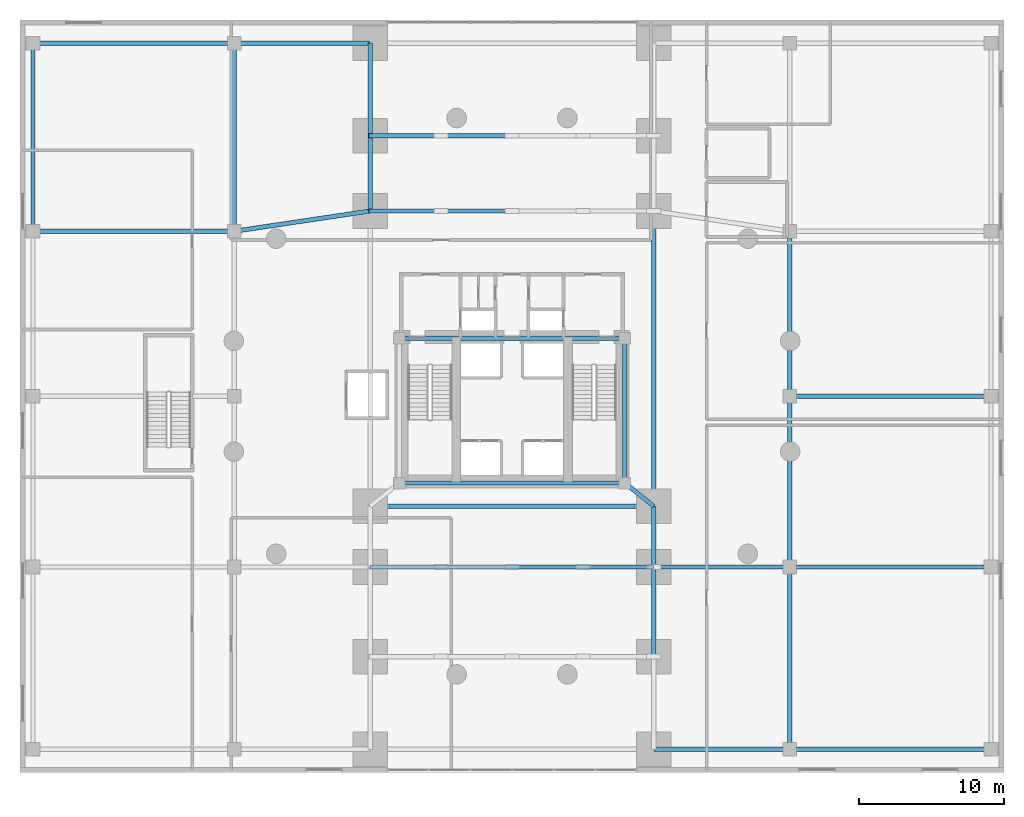
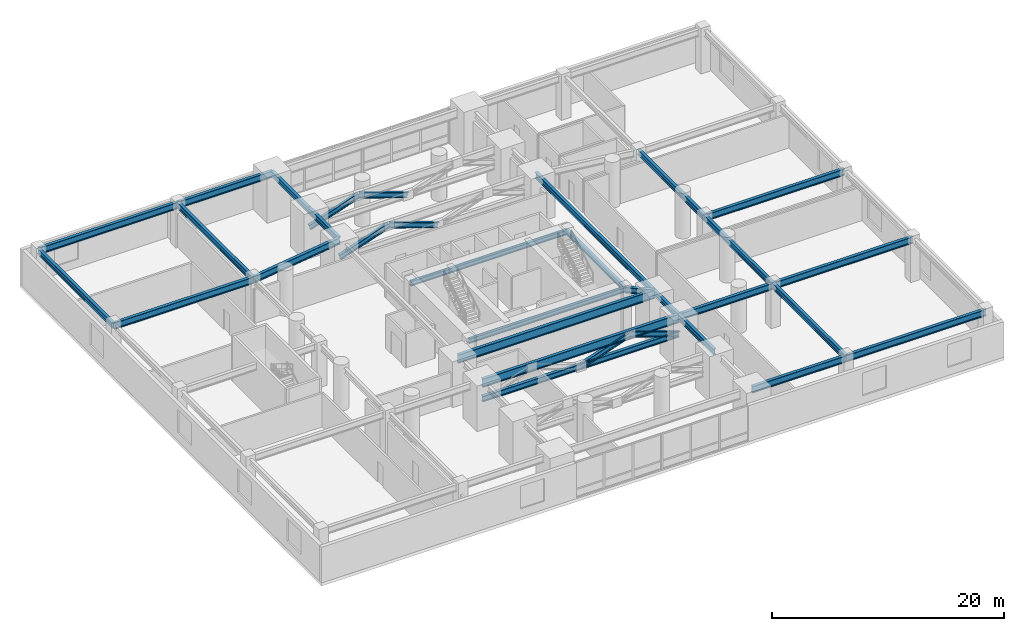
# One storey, part 9 of 17: 25 beams, 7 members.
"""IFC4 building model written with IfcOpenShell, lengths in metres."""

from ifc_helpers import new_model, si_unit, direction, frame, origin, origin_2d, place, context, subcontext, project, spatial, i_section, extrude, material, material_profile, profile_set, type_object, element, save


model = new_model("IFC4")

# Units and contexts
model_context = context("Model", 3, precision=1e-05, world=origin(), true_north=direction((0.0, 1.0)))
body_context = subcontext(model_context, "Body", "Model", "MODEL_VIEW")
ifc_project = project(units=[si_unit("LENGTHUNIT", "METRE"), si_unit("AREAUNIT", "SQUARE_METRE"), si_unit("VOLUMEUNIT", "CUBIC_METRE"), si_unit("PLANEANGLEUNIT", "RADIAN"), si_unit("MASSUNIT", "GRAM", prefix="KILO"), si_unit("THERMODYNAMICTEMPERATUREUNIT", "KELVIN"), si_unit("POWERUNIT", "WATT")], contexts=[model_context])

# Site, building, storey
site_placement = place(None, origin())
site = spatial("IfcSite", under=ifc_project, at=site_placement, CompositionType="ELEMENT")
building_placement = place(site_placement, origin())
building = spatial("IfcBuilding", under=site, at=building_placement, Name="Ocrelia Relay Tower", CompositionType="ELEMENT")
storey_placement = place(building_placement, frame((0.0, 0.0, 20.39990234375)))
storey = spatial("IfcBuildingStorey", under=building, at=storey_placement, Name="L04", CompositionType="ELEMENT", Elevation=20.39990234375)

# Beams
ifc_material = material(Name="Steel S355", Category="steel")
ifc_material_profile_1 = material_profile(ifc_material, i_section(OverallWidth=0.300048828125, OverallDepth=0.5, WebThickness=0.014404296875, FlangeThickness=0.028076171875, FilletRadius=0.027099609375, at=origin_2d()), Name="HEB 500")
ifc_profile_set_1 = profile_set([ifc_material_profile_1], Name="Steel S355")
beam_type_1 = type_object("IfcBeamType", Name="BM-HEB500", PredefinedType="BEAM", material=ifc_profile_set_1)
for number, where, z_axis, x_axis, name in (
    (1, (26.199951171875, 20.0, 4.22998046875), (1.0, 0.0, 0.0), (0.0, 1.0, 0.0), "L04 Core Pilaster Tie Beam S"),
    (2, (26.199951171875, 30.0, 4.22998046875), (1.0, 0.0, 0.0), (0.0, 1.0, 0.0), "L04 Core Pilaster Tie Beam N"),
):
    element("IfcBeam", number, at=place(storey_placement, frame(where, z_axis=z_axis, x_axis=x_axis)), inside=storey, type_object=beam_type_1, Name=name, PredefinedType="BEAM", context=body_context, shape_type="SweptSolid", body=[
        extrude(i_section(OverallWidth=0.300048828125, OverallDepth=0.5, WebThickness=0.014404296875, FlangeThickness=0.028076171875, FilletRadius=0.027099609375, at=origin_2d()), origin(), (0.0, 0.0, 1.0), 15.60009765625),
    ])
beam_1_placement = place(storey_placement, frame((41.800048828125, 20.0, 4.22998046875), z_axis=(0.0, 1.0, 0.0), x_axis=(-1.0, 0.0, 0.0)))
element("IfcBeam", 3, at=beam_1_placement, inside=storey, type_object=beam_type_1, Name="L04 Core Pilaster Tie Beam E", PredefinedType="BEAM", context=body_context, shape_type="SweptSolid", body=[
    extrude(i_section(OverallWidth=0.300048828125, OverallDepth=0.5, WebThickness=0.014404296875, FlangeThickness=0.028076171875, FilletRadius=0.027099609375, at=origin_2d()), origin(), (0.0, 0.0, 1.0), 10.0),
])
ifc_material_profile_2 = material_profile(ifc_material, i_section(OverallWidth=0.300048828125, OverallDepth=0.60009765625, WebThickness=0.015380859375, FlangeThickness=0.030029296875, FilletRadius=0.027099609375, at=origin_2d()), Name="HEB 600")
ifc_profile_set_2 = profile_set([ifc_material_profile_2], Name="Steel S355")
beam_type_2 = type_object("IfcBeamType", Name="BM-HEB600", PredefinedType="BEAM", material=ifc_profile_set_2)
for number, where, z_axis, x_axis, name in (
    (4, (0.89990234375, 37.39990234375, 4.18017578125), (0.0, 1.0, 0.0), (-1.0, 0.0, 0.0), "L04 Podium Span Girder W-4"),
    (5, (14.800048828125, 37.39990234375, 4.18017578125), (0.0, 1.0, 0.0), (-1.0, 0.0, 0.0), "L04 Podium Span Girder IW-4"),
):
    element("IfcBeam", number, at=place(storey_placement, frame(where, z_axis=z_axis, x_axis=x_axis)), inside=storey, type_object=beam_type_2, Name=name, PredefinedType="BEAM", context=body_context, shape_type="SweptSolid", body=[
        extrude(i_section(OverallWidth=0.300048828125, OverallDepth=0.60009765625, WebThickness=0.015380859375, FlangeThickness=0.030029296875, FilletRadius=0.027099609375, at=origin_2d()), origin(), (0.0, 0.0, 1.0), 13.0),
    ])
beam_2_placement = place(storey_placement, frame((53.199951171875, 1.60009765625, 4.18017578125), z_axis=(0.0, 1.0, 0.0), x_axis=(-1.0, 0.0, 0.0)))
element("IfcBeam", 6, at=beam_2_placement, inside=storey, type_object=beam_type_2, Name="L04 Podium Span Girder IE-1", PredefinedType="BEAM", context=body_context, shape_type="SweptSolid", body=[
    extrude(i_section(OverallWidth=0.300048828125, OverallDepth=0.60009765625, WebThickness=0.015380859375, FlangeThickness=0.030029296875, FilletRadius=0.027099609375, at=origin_2d()), origin(), (0.0, 0.0, 1.0), 12.599853515625),
])
beam_3_placement = place(storey_placement, frame((53.199951171875, 14.199951171875, 4.18017578125), z_axis=(0.0, 1.0, 0.0), x_axis=(-1.0, 0.0, 0.0)))
element("IfcBeam", 7, at=beam_3_placement, inside=storey, type_object=beam_type_2, Name="L04 Podium Span Girder IE-2", PredefinedType="BEAM", context=body_context, shape_type="SweptSolid", body=[
    extrude(i_section(OverallWidth=0.300048828125, OverallDepth=0.60009765625, WebThickness=0.015380859375, FlangeThickness=0.030029296875, FilletRadius=0.027099609375, at=origin_2d()), origin(), (0.0, 0.0, 1.0), 11.800048828125),
])
beam_4_placement = place(storey_placement, frame((53.199951171875, 26.0, 4.18017578125), z_axis=(0.0, 1.0, 0.0), x_axis=(-1.0, 0.0, 0.0)))
element("IfcBeam", 8, at=beam_4_placement, inside=storey, type_object=beam_type_2, Name="L04 Podium Span Girder IE-3", PredefinedType="BEAM", context=body_context, shape_type="SweptSolid", body=[
    extrude(i_section(OverallWidth=0.300048828125, OverallDepth=0.60009765625, WebThickness=0.015380859375, FlangeThickness=0.030029296875, FilletRadius=0.027099609375, at=origin_2d()), origin(), (0.0, 0.0, 1.0), 11.39990234375),
])
beam_5_placement = place(storey_placement, frame((24.199951171875, 38.800048828125, 4.18017578125), z_axis=(0.0, 1.0, 0.0), x_axis=(-1.0, 0.0, 0.0)))
element("IfcBeam", 9, at=beam_5_placement, inside=storey, type_object=beam_type_2, Name="L04 Pier Line Tie Girder AW-4", PredefinedType="BEAM", context=body_context, shape_type="SweptSolid", body=[
    extrude(i_section(OverallWidth=0.300048828125, OverallDepth=0.60009765625, WebThickness=0.015380859375, FlangeThickness=0.030029296875, FilletRadius=0.027099609375, at=origin_2d()), origin(), (0.0, 0.0, 1.0), 5.199951171875),
])
beam_6_placement = place(storey_placement, frame((24.199951171875, 44.0, 4.18017578125), z_axis=(0.0, 1.0, 0.0), x_axis=(-1.0, 0.0, 0.0)))
element("IfcBeam", 10, at=beam_6_placement, inside=storey, type_object=beam_type_2, Name="L04 Pier Line Tie Girder AW-5", PredefinedType="BEAM", context=body_context, shape_type="SweptSolid", body=[
    extrude(i_section(OverallWidth=0.300048828125, OverallDepth=0.60009765625, WebThickness=0.015380859375, FlangeThickness=0.030029296875, FilletRadius=0.027099609375, at=origin_2d()), origin(), (0.0, 0.0, 1.0), 6.39990234375),
])
beam_7_placement = place(storey_placement, frame((43.800048828125, 8.0, 4.18017578125), z_axis=(0.0, 1.0, 0.0), x_axis=(-1.0, 0.0, 0.0)))
element("IfcBeam", 11, at=beam_7_placement, inside=storey, type_object=beam_type_2, Name="L04 Pier Line Tie Girder AE-2", PredefinedType="BEAM", context=body_context, shape_type="SweptSolid", body=[
    extrude(i_section(OverallWidth=0.300048828125, OverallDepth=0.60009765625, WebThickness=0.015380859375, FlangeThickness=0.030029296875, FilletRadius=0.027099609375, at=origin_2d()), origin(), (0.0, 0.0, 1.0), 6.199951171875),
])
beam_8_placement = place(storey_placement, frame((43.800048828125, 14.199951171875, 4.18017578125), z_axis=(0.0, 1.0, 0.0), x_axis=(-1.0, 0.0, 0.0)))
element("IfcBeam", 12, at=beam_8_placement, inside=storey, type_object=beam_type_2, Name="L04 Pier Line Tie Girder AE-3", PredefinedType="BEAM", context=body_context, shape_type="SweptSolid", body=[
    extrude(i_section(OverallWidth=0.300048828125, OverallDepth=0.60009765625, WebThickness=0.015380859375, FlangeThickness=0.030029296875, FilletRadius=0.027099609375, at=origin_2d()), origin(), (0.0, 0.0, 1.0), 4.199951171875),
])
beam_9_placement = place(storey_placement, frame((43.800048828125, 18.39990234375, 4.18017578125), z_axis=(0.0, 1.0, 0.0), x_axis=(-1.0, 0.0, 0.0)))
element("IfcBeam", 13, at=beam_9_placement, inside=storey, type_object=beam_type_2, Name="L04 Pier Line Tie Girder AE-6", PredefinedType="BEAM", context=body_context, shape_type="SweptSolid", body=[
    extrude(i_section(OverallWidth=0.300048828125, OverallDepth=0.60009765625, WebThickness=0.015380859375, FlangeThickness=0.030029296875, FilletRadius=0.027099609375, at=origin_2d()), origin(), (0.0, 0.0, 1.0), 20.400146484375),
])
beam_10_placement = place(storey_placement, frame((43.800048828125, 18.39990234375, 4.18017578125), z_axis=(-0.78085021034, 0.624718295724, 0.0), x_axis=(-0.624718295724, -0.78085021034, 0.0)))
element("IfcBeam", 14, at=beam_10_placement, inside=storey, type_object=beam_type_2, Name="L04 Core Pilaster Link Girder AES", PredefinedType="BEAM", context=body_context, shape_type="SweptSolid", body=[
    extrude(i_section(OverallWidth=0.300048828125, OverallDepth=0.60009765625, WebThickness=0.015380859375, FlangeThickness=0.030029296875, FilletRadius=0.027099609375, at=origin_2d()), origin(), (0.0, 0.0, 1.0), 2.561279296875),
])
ifc_material_profile_3 = material_profile(ifc_material, i_section(OverallWidth=0.300048828125, OverallDepth=0.699951171875, WebThickness=0.01708984375, FlangeThickness=0.031982421875, FilletRadius=0.027099609375, at=origin_2d()), Name="HEB 700")
ifc_profile_set_3 = profile_set([ifc_material_profile_3], Name="Steel S355")
beam_type_3 = type_object("IfcBeamType", Name="BM-HEB700", PredefinedType="BEAM", material=ifc_profile_set_3)
beam_11_placement = place(storey_placement, frame((43.800048828125, 1.60009765625, 4.130126953125), z_axis=(1.0, 0.0, 0.0), x_axis=(0.0, 1.0, 0.0)))
element("IfcBeam", 15, at=beam_11_placement, inside=storey, type_object=beam_type_3, Name="L04 East Inner Podium Girder S", PredefinedType="BEAM", context=body_context, shape_type="SweptSolid", body=[
    extrude(i_section(OverallWidth=0.300048828125, OverallDepth=0.699951171875, WebThickness=0.01708984375, FlangeThickness=0.031982421875, FilletRadius=0.027099609375, at=origin_2d()), origin(), (0.0, 0.0, 1.0), 9.39990234375),
])
beam_12_placement = place(storey_placement, frame((53.199951171875, 1.60009765625, 4.130126953125), z_axis=(1.0, 0.0, 0.0), x_axis=(0.0, 1.0, 0.0)))
element("IfcBeam", 16, at=beam_12_placement, inside=storey, type_object=beam_type_3, Name="L04 East Outer Podium Girder S", PredefinedType="BEAM", context=body_context, shape_type="SweptSolid", body=[
    extrude(i_section(OverallWidth=0.300048828125, OverallDepth=0.699951171875, WebThickness=0.01708984375, FlangeThickness=0.031982421875, FilletRadius=0.027099609375, at=origin_2d()), origin(), (0.0, 0.0, 1.0), 13.900146484375),
])
beam_13_placement = place(storey_placement, frame((43.800048828125, 14.199951171875, 4.130126953125), z_axis=(1.0, 0.0, 0.0), x_axis=(0.0, 1.0, 0.0)))
element("IfcBeam", 17, at=beam_13_placement, inside=storey, type_object=beam_type_3, Name="L04 East Inner Podium Girder M1", PredefinedType="BEAM", context=body_context, shape_type="SweptSolid", body=[
    extrude(i_section(OverallWidth=0.300048828125, OverallDepth=0.699951171875, WebThickness=0.01708984375, FlangeThickness=0.031982421875, FilletRadius=0.027099609375, at=origin_2d()), origin(), (0.0, 0.0, 1.0), 9.39990234375),
])
for number, where, z_axis, x_axis, name in (
    (18, (53.199951171875, 14.199951171875, 4.130126953125), (1.0, 0.0, 0.0), (0.0, 1.0, 0.0), "L04 East Outer Podium Girder M1"),
    (19, (0.89990234375, 37.39990234375, 4.130126953125), (1.0, 0.0, 0.0), (0.0, 1.0, 0.0), "L04 West Outer Podium Girder M2"),
):
    element("IfcBeam", number, at=place(storey_placement, frame(where, z_axis=z_axis, x_axis=x_axis)), inside=storey, type_object=beam_type_3, Name=name, PredefinedType="BEAM", context=body_context, shape_type="SweptSolid", body=[
        extrude(i_section(OverallWidth=0.300048828125, OverallDepth=0.699951171875, WebThickness=0.01708984375, FlangeThickness=0.031982421875, FilletRadius=0.027099609375, at=origin_2d()), origin(), (0.0, 0.0, 1.0), 13.900146484375),
    ])
beam_14_placement = place(storey_placement, frame((14.800048828125, 37.39990234375, 4.130126953125), z_axis=(0.989087708935, 0.14732787935, 0.0), x_axis=(-0.14732787935, 0.989087708935, 0.0)))
element("IfcBeam", 20, at=beam_14_placement, inside=storey, type_object=beam_type_3, Name="L04 West Inner Podium Girder M2", PredefinedType="BEAM", context=body_context, shape_type="SweptSolid", body=[
    extrude(i_section(OverallWidth=0.300048828125, OverallDepth=0.699951171875, WebThickness=0.01708984375, FlangeThickness=0.031982421875, FilletRadius=0.027099609375, at=origin_2d()), origin(), (0.0, 0.0, 1.0), 9.503662109375),
])
beam_15_placement = place(storey_placement, frame((0.89990234375, 50.39990234375, 4.130126953125), z_axis=(1.0, 0.0, 0.0), x_axis=(0.0, 1.0, 0.0)))
element("IfcBeam", 21, at=beam_15_placement, inside=storey, type_object=beam_type_3, Name="L04 West Outer Podium Girder N", PredefinedType="BEAM", context=body_context, shape_type="SweptSolid", body=[
    extrude(i_section(OverallWidth=0.300048828125, OverallDepth=0.699951171875, WebThickness=0.01708984375, FlangeThickness=0.031982421875, FilletRadius=0.027099609375, at=origin_2d()), origin(), (0.0, 0.0, 1.0), 13.900146484375),
])
beam_16_placement = place(storey_placement, frame((14.800048828125, 50.39990234375, 4.130126953125), z_axis=(1.0, 0.0, 0.0), x_axis=(0.0, 1.0, 0.0)))
element("IfcBeam", 22, at=beam_16_placement, inside=storey, type_object=beam_type_3, Name="L04 West Inner Podium Girder N", PredefinedType="BEAM", context=body_context, shape_type="SweptSolid", body=[
    extrude(i_section(OverallWidth=0.300048828125, OverallDepth=0.699951171875, WebThickness=0.01708984375, FlangeThickness=0.031982421875, FilletRadius=0.027099609375, at=origin_2d()), origin(), (0.0, 0.0, 1.0), 9.39990234375),
])
beam_17_placement = place(storey_placement, frame((53.199951171875, 26.0, 4.130126953125), z_axis=(1.0, 0.0, 0.0), x_axis=(0.0, 1.0, 0.0)))
element("IfcBeam", 23, at=beam_17_placement, inside=storey, type_object=beam_type_3, Name="L04 East Mid Podium Girder", PredefinedType="BEAM", context=body_context, shape_type="SweptSolid", body=[
    extrude(i_section(OverallWidth=0.300048828125, OverallDepth=0.699951171875, WebThickness=0.01708984375, FlangeThickness=0.031982421875, FilletRadius=0.027099609375, at=origin_2d()), origin(), (0.0, 0.0, 1.0), 13.900146484375),
])
ifc_material_profile_4 = material_profile(ifc_material, i_section(OverallWidth=0.300048828125, OverallDepth=0.89990234375, WebThickness=0.0185546875, FlangeThickness=0.034912109375, FilletRadius=0.030029296875, at=origin_2d()), Name="HEB 900")
ifc_profile_set_4 = profile_set([ifc_material_profile_4], Name="Steel S355")
beam_type_4 = type_object("IfcBeamType", Name="BM-HEB900", PredefinedType="BEAM", material=ifc_profile_set_4)
for number, where, z_axis, x_axis, name in (
    (24, (24.199951171875, 14.199951171875, 4.030029296875), (1.0, 0.0, 0.0), (0.0, 1.0, 0.0), "L04 Portal Arch Span Transfer Girder G3"),
    (25, (24.199951171875, 18.39990234375, 4.030029296875), (1.0, 0.0, 0.0), (0.0, 1.0, 0.0), "L04 Portal Arch Span Transfer Girder G4"),
):
    element("IfcBeam", number, at=place(storey_placement, frame(where, z_axis=z_axis, x_axis=x_axis)), inside=storey, type_object=beam_type_4, Name=name, PredefinedType="BEAM", context=body_context, shape_type="SweptSolid", body=[
        extrude(i_section(OverallWidth=0.300048828125, OverallDepth=0.89990234375, WebThickness=0.0185546875, FlangeThickness=0.034912109375, FilletRadius=0.030029296875, at=origin_2d()), origin(), (0.0, 0.0, 1.0), 19.60009765625),
    ])

# Members
ifc_material_profile_5 = material_profile(ifc_material, i_section(OverallWidth=0.300048828125, OverallDepth=0.550048828125, WebThickness=0.014892578125, FlangeThickness=0.029052734375, FilletRadius=0.027099609375, at=origin_2d()), Name="HEB 550")
ifc_profile_set_5 = profile_set([ifc_material_profile_5], Name="Steel S355")
member_type_1 = type_object("IfcMemberType", Name="MB-ARCH-DIAG", PredefinedType="BRACE", material=ifc_profile_set_5)
member_1_placement = place(storey_placement, frame((34.0, 14.199951171875, 2.35009765625), z_axis=(0.945948011629, 0.0, 0.324318299353), x_axis=(0.0, 1.0, 0.0)))
element("IfcMember", 26, at=member_1_placement, inside=storey, type_object=member_type_1, Name="L04 Warren Transfer Truss Diagonal SI-3", PredefinedType="BRACE", context=body_context, shape_type="SweptSolid", body=[
    extrude(i_section(OverallWidth=0.300048828125, OverallDepth=0.550048828125, WebThickness=0.014892578125, FlangeThickness=0.029052734375, FilletRadius=0.027099609375, at=origin_2d()), origin(), (0.0, 0.0, 1.0), 5.179931640625),
])
for number, where, z_axis, x_axis, name in (
    (27, (38.89990234375, 14.199951171875, 4.030029296875), (0.945952968798, 0.0, -0.324303840282), (0.0, 1.0, 0.0), "L04 Warren Transfer Truss Diagonal SI-4"),
    (28, (24.199951171875, 38.800048828125, 2.35009765625), (0.945952968798, 0.0, 0.324303840282), (0.0, 1.0, 0.0), "L04 Warren Transfer Truss Diagonal NI-1"),
):
    element("IfcMember", number, at=place(storey_placement, frame(where, z_axis=z_axis, x_axis=x_axis)), inside=storey, type_object=member_type_1, Name=name, PredefinedType="BRACE", context=body_context, shape_type="SweptSolid", body=[
        extrude(i_section(OverallWidth=0.300048828125, OverallDepth=0.550048828125, WebThickness=0.014892578125, FlangeThickness=0.029052734375, FilletRadius=0.027099609375, at=origin_2d()), origin(), (0.0, 0.0, 1.0), 5.18017578125),
    ])
member_2_placement = place(storey_placement, frame((29.10009765625, 38.800048828125, 4.030029296875), z_axis=(0.945948011629, 0.0, -0.324318299353), x_axis=(0.0, 1.0, 0.0)))
element("IfcMember", 29, at=member_2_placement, inside=storey, type_object=member_type_1, Name="L04 Warren Transfer Truss Diagonal NI-2", PredefinedType="BRACE", context=body_context, shape_type="SweptSolid", body=[
    extrude(i_section(OverallWidth=0.300048828125, OverallDepth=0.550048828125, WebThickness=0.014892578125, FlangeThickness=0.029052734375, FilletRadius=0.027099609375, at=origin_2d()), origin(), (0.0, 0.0, 1.0), 5.179931640625),
])
member_3_placement = place(storey_placement, frame((24.199951171875, 44.0, 2.35009765625), z_axis=(0.945952968798, 0.0, 0.324303840282), x_axis=(0.0, 1.0, 0.0)))
element("IfcMember", 30, at=member_3_placement, inside=storey, type_object=member_type_1, Name="L04 Warren Transfer Truss Diagonal N-1", PredefinedType="BRACE", context=body_context, shape_type="SweptSolid", body=[
    extrude(i_section(OverallWidth=0.300048828125, OverallDepth=0.550048828125, WebThickness=0.014892578125, FlangeThickness=0.029052734375, FilletRadius=0.027099609375, at=origin_2d()), origin(), (0.0, 0.0, 1.0), 5.18017578125),
])
member_4_placement = place(storey_placement, frame((29.10009765625, 44.0, 4.030029296875), z_axis=(0.945948011629, 0.0, -0.324318299353), x_axis=(0.0, 1.0, 0.0)))
element("IfcMember", 31, at=member_4_placement, inside=storey, type_object=member_type_1, Name="L04 Warren Transfer Truss Diagonal N-2", PredefinedType="BRACE", context=body_context, shape_type="SweptSolid", body=[
    extrude(i_section(OverallWidth=0.300048828125, OverallDepth=0.550048828125, WebThickness=0.014892578125, FlangeThickness=0.029052734375, FilletRadius=0.027099609375, at=origin_2d()), origin(), (0.0, 0.0, 1.0), 5.179931640625),
])
ifc_material_profile_6 = material_profile(ifc_material, i_section(OverallWidth=0.300048828125, OverallDepth=0.60009765625, WebThickness=0.015380859375, FlangeThickness=0.030029296875, FilletRadius=0.027099609375, at=origin_2d()), Name="HEB 600")
ifc_profile_set_6 = profile_set([ifc_material_profile_6], Name="Steel S355")
member_type_2 = type_object("IfcMemberType", Name="MB-TRUSS-CHORD", PredefinedType="CHORD", material=ifc_profile_set_6)
member_5_placement = place(storey_placement, frame((24.199951171875, 14.199951171875, 2.35009765625), z_axis=(1.0, 0.0, 0.0), x_axis=(0.0, 1.0, 0.0)))
element("IfcMember", 32, at=member_5_placement, inside=storey, type_object=member_type_2, Name="L04 Warren Transfer Truss Chord SI", PredefinedType="CHORD", context=body_context, shape_type="SweptSolid", body=[
    extrude(i_section(OverallWidth=0.300048828125, OverallDepth=0.60009765625, WebThickness=0.015380859375, FlangeThickness=0.030029296875, FilletRadius=0.027099609375, at=origin_2d()), origin(), (0.0, 0.0, 1.0), 19.60009765625),
])

save(model, "model.ifc")
